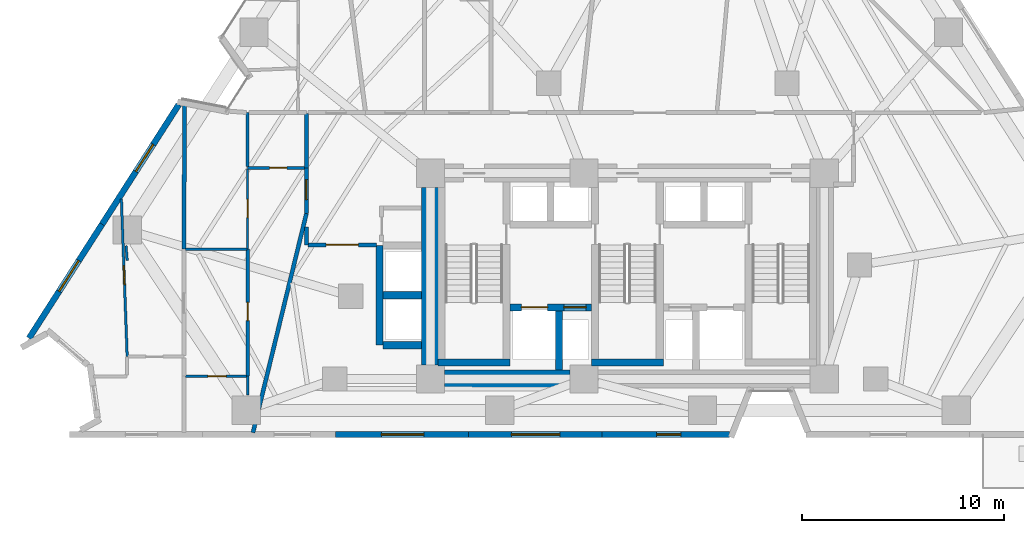
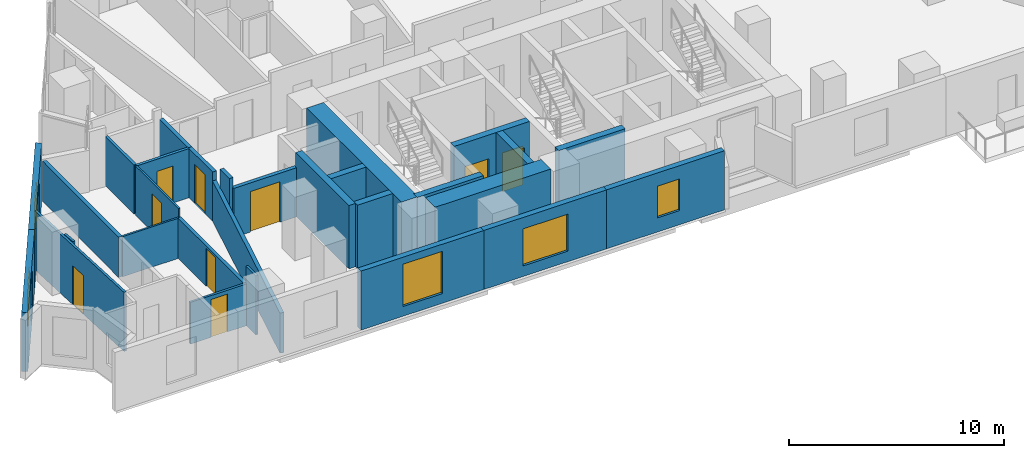
# One storey, part 6 of 13: 29 walls, 9 doors, 5 windows, 14 openings.
"""IFC4 building model written with IfcOpenShell, lengths in metres."""

from ifc_helpers import new_model, si_unit, direction, frame, frame_2d, origin, place, context, subcontext, project, spatial, rectangle, extrude, material, layer, layer_set, type_object, element, fill, save


model = new_model("IFC4")

# Units and contexts
model_context = context("Model", 3, precision=1e-05, world=origin(), true_north=direction((0.0, 1.0)))
body_context = subcontext(model_context, "Body", "Model", "MODEL_VIEW")
ifc_project = project(units=[si_unit("LENGTHUNIT", "METRE"), si_unit("AREAUNIT", "SQUARE_METRE"), si_unit("VOLUMEUNIT", "CUBIC_METRE"), si_unit("PLANEANGLEUNIT", "RADIAN"), si_unit("MASSUNIT", "GRAM", prefix="KILO")], contexts=[model_context])

# Site, building, storey
site_placement = place(None, origin())
site = spatial("IfcSite", under=ifc_project, at=site_placement, CompositionType="ELEMENT")
building_placement = place(site_placement, origin())
building = spatial("IfcBuilding", under=site, at=building_placement, Name="Almagre Mirador Tower", CompositionType="ELEMENT")
storey_placement = place(building_placement, frame((0.0, 0.0, 42.60009765625)))
storey = spatial("IfcBuildingStorey", under=building, at=storey_placement, Name="L09", CompositionType="ELEMENT", Elevation=42.60009765625)

# Wall, opening, window
ifc_material_1 = material(Name="Precast concrete C50/60", Category="concrete")
ifc_layer_1 = layer(ifc_material_1, 0.300048828125)
ifc_layer_set_1 = layer_set([ifc_layer_1], Name="Precast concrete C50/60")
wall_type_1 = type_object("IfcWallType", Name="WAL-EXT-300", PredefinedType="SOLIDWALL", material=ifc_layer_set_1)
wall_1_placement = place(storey_placement, frame((42.34912109375, 1.800048828125, 0.0), z_axis=(0.0, 0.0, 1.0), x_axis=(-1.0, 0.0, 0.0)))
wall_1 = element("IfcWall", 1, at=wall_1_placement, inside=storey, type_object=wall_type_1, Name="L09 expressed almagre precast frame wall 26", PredefinedType="SOLIDWALL", context=body_context, shape_type="SweptSolid", body=[
    extrude(rectangle(XDim=6.31787109375, YDim=0.300048828125, at=frame_2d((3.158935546875, 0.0))), origin(), (0.0, 0.0, 1.0), 3.349853515625),
])
opening_1_placement = place(wall_1_placement, frame((2.39990234375, 0.0, 0.800048828125)))
opening_1 = element("IfcOpeningElement", 2, at=opening_1_placement, cuts=wall_1, Name="Opening WN-04", PredefinedType="OPENING", context=body_context, shape_type="SweptSolid", body=[
    extrude(rectangle(XDim=1.199951171875, YDim=1.800048828125, at=frame_2d((0.60009765625, 0.89990234375))), frame((0.0, 0.159902, 0.0), z_axis=(0.0, -1.0, 0.0), x_axis=(1.0, 0.0, 0.0)), (0.0, 0.0, 1.0), 0.320049),
])
ifc_material_2 = material(Name="Dark solar-control laminated hurricane glass", Category="glass")
window_type_1 = type_object("IfcWindowType", Name="WIN-1200X1800", PartitioningType="SINGLE_PANEL", PredefinedType="WINDOW", material=ifc_material_2)
window_1_placement = place(opening_1_placement, origin())
window_1 = element("IfcWindow", 3, at=window_1_placement, inside=storey, type_object=window_type_1, Name="L09 recessed hurricane window L09-RST-B", OverallHeight=1.800048828125, OverallWidth=1.199951171875, PartitioningType="SINGLE_PANEL", PredefinedType="WINDOW", context=body_context, shape_type="SweptSolid", body=[
    extrude(rectangle(XDim=1.199951171875, YDim=1.800048828125, at=frame_2d((0.60009765625, 0.89990234375))), frame((0.0, 0.030029296875, 0.0), z_axis=(0.0, -1.0, 0.0), x_axis=(1.0, 0.0, 0.0)), (0.0, 0.0, 1.0), 0.06005859375),
])
fill(opening_1, window_1)

wall_2_placement = place(storey_placement, frame((36.03125, 1.800048828125, 0.0), z_axis=(0.0, 0.0, 1.0), x_axis=(-1.0, 0.0, 0.0)))
wall_2 = element("IfcWall", 4, at=wall_2_placement, inside=storey, type_object=wall_type_1, Name="L09 expressed almagre precast frame wall 27", PredefinedType="SOLIDWALL", context=body_context, shape_type="SweptSolid", body=[
    extrude(rectangle(XDim=6.5927734375, YDim=0.300048828125, at=frame_2d((3.29638671875, 0.0))), origin(), (0.0, 0.0, 1.0), 3.349853515625),
])
opening_2_placement = place(wall_2_placement, frame((2.074951171875, 0.0, 0.60009765625)))
opening_2 = element("IfcOpeningElement", 5, at=opening_2_placement, cuts=wall_2, Name="Opening WN-02", PredefinedType="OPENING", context=body_context, shape_type="SweptSolid", body=[
    extrude(rectangle(XDim=2.39990234375, YDim=2.10009765625, at=frame_2d((1.199951171875, 1.050048828125))), frame((0.0, 0.159902, 0.0), z_axis=(0.0, -1.0, 0.0), x_axis=(1.0, 0.0, 0.0)), (0.0, 0.0, 1.0), 0.320049),
])
ifc_material_3 = material(Name="Dark solar-control laminated hurricane glass", Category="glass")
window_type_2 = type_object("IfcWindowType", Name="WIN-2400X2100", PartitioningType="TRIPLE_PANEL_VERTICAL", PredefinedType="WINDOW", material=ifc_material_3)
window_2_placement = place(opening_2_placement, origin())
window_2 = element("IfcWindow", 6, at=window_2_placement, inside=storey, type_object=window_type_2, Name="L09 recessed hurricane window L09-RST-B", OverallHeight=2.10009765625, OverallWidth=2.39990234375, PartitioningType="SINGLE_PANEL", PredefinedType="WINDOW", context=body_context, shape_type="SweptSolid", body=[
    extrude(rectangle(XDim=2.39990234375, YDim=2.10009765625, at=frame_2d((1.199951171875, 1.050048828125))), frame((0.0, 0.030029296875, 0.0), z_axis=(0.0, -1.0, 0.0), x_axis=(1.0, 0.0, 0.0)), (0.0, 0.0, 1.0), 0.06005859375),
])
fill(opening_2, window_2)

wall_3_placement = place(storey_placement, frame((29.4384765625, 1.800048828125, 0.0), z_axis=(0.0, 0.0, 1.0), x_axis=(-1.0, 0.0, 0.0)))
wall_3 = element("IfcWall", 7, at=wall_3_placement, inside=storey, type_object=wall_type_1, Name="L09 expressed almagre precast frame wall 28", PredefinedType="SOLIDWALL", context=body_context, shape_type="SweptSolid", body=[
    extrude(rectangle(XDim=6.5927734375, YDim=0.300048828125, at=frame_2d((3.29638671875, 0.0))), origin(), (0.0, 0.0, 1.0), 3.349853515625),
])
opening_3_placement = place(wall_3_placement, frame((2.22509765625, 0.0, 0.550048828125)))
opening_3 = element("IfcOpeningElement", 8, at=opening_3_placement, cuts=wall_3, Name="Opening WN-05", PredefinedType="OPENING", context=body_context, shape_type="SweptSolid", body=[
    extrude(rectangle(XDim=2.10009765625, YDim=2.39990234375, at=frame_2d((1.050048828125, 1.199951171875))), frame((0.0, 0.159902, 0.0), z_axis=(0.0, -1.0, 0.0), x_axis=(1.0, 0.0, 0.0)), (0.0, 0.0, 1.0), 0.320049),
])
ifc_material_4 = material(Name="Dark solar-control laminated hurricane glass", Category="glass")
window_type_3 = type_object("IfcWindowType", Name="WIN-2100X2400", PartitioningType="DOUBLE_PANEL_VERTICAL", PredefinedType="WINDOW", material=ifc_material_4)
window_3_placement = place(opening_3_placement, origin())
window_3 = element("IfcWindow", 9, at=window_3_placement, inside=storey, type_object=window_type_3, Name="L09 recessed hurricane window L09-RST-B", OverallHeight=2.39990234375, OverallWidth=2.10009765625, PartitioningType="SINGLE_PANEL", PredefinedType="WINDOW", context=body_context, shape_type="SweptSolid", body=[
    extrude(rectangle(XDim=2.10009765625, YDim=2.39990234375, at=frame_2d((1.050048828125, 1.199951171875))), frame((0.0, 0.030029296875, 0.0), z_axis=(0.0, -1.0, 0.0), x_axis=(1.0, 0.0, 0.0)), (0.0, 0.0, 1.0), 0.06005859375),
])
fill(opening_3, window_3)

wall_4_placement = place(storey_placement, frame((7.65966796875, 6.57373046875, 0.0), z_axis=(0.0, 0.0, 1.0), x_axis=(0.539544361319, 0.841957173595, 0.0)))
wall_4 = element("IfcWall", 10, at=wall_4_placement, inside=storey, type_object=wall_type_1, Name="L09 expressed almagre precast frame wall 35", PredefinedType="SOLIDWALL", context=body_context, shape_type="SweptSolid", body=[
    extrude(rectangle(XDim=6.70556640625, YDim=0.300048828125, at=frame_2d((3.352783203125, 0.0))), origin(), (0.0, 0.0, 1.0), 3.349853515625),
])
opening_4_placement = place(wall_4_placement, frame((2.764892578125, 0.0, 0.60009765625)))
opening_4 = element("IfcOpeningElement", 11, at=opening_4_placement, cuts=wall_4, Name="Opening WN-01", PredefinedType="OPENING", context=body_context, shape_type="SweptSolid", body=[
    extrude(rectangle(XDim=1.800048828125, YDim=2.10009765625, at=frame_2d((0.89990234375, 1.050048828125))), frame((0.0, 0.159902, 0.0), z_axis=(0.0, -1.0, 0.0), x_axis=(1.0, 0.0, 0.0)), (0.0, 0.0, 1.0), 0.320049),
])
ifc_material_5 = material(Name="Dark solar-control laminated hurricane glass", Category="glass")
window_type_4 = type_object("IfcWindowType", Name="WIN-1800X2100", PartitioningType="DOUBLE_PANEL_VERTICAL", PredefinedType="WINDOW", material=ifc_material_5)
window_4_placement = place(opening_4_placement, origin())
window_4 = element("IfcWindow", 12, at=window_4_placement, inside=storey, type_object=window_type_4, Name="L09 recessed hurricane window L09-UA-KT", OverallHeight=2.10009765625, OverallWidth=1.800048828125, PartitioningType="SINGLE_PANEL", PredefinedType="WINDOW", context=body_context, shape_type="SweptSolid", body=[
    extrude(rectangle(XDim=1.800048828125, YDim=2.10009765625, at=frame_2d((0.89990234375, 1.050048828125))), frame((0.0, 0.030029296875, 0.0), z_axis=(0.0, -1.0, 0.0), x_axis=(1.0, 0.0, 0.0)), (0.0, 0.0, 1.0), 0.06005859375),
])
fill(opening_4, window_4)

wall_5_placement = place(storey_placement, frame((11.277587890625, 12.219482421875, 0.0), z_axis=(0.0, 0.0, 1.0), x_axis=(0.539524946774, 0.84196961454, 0.0)))
wall_5 = element("IfcWall", 13, at=wall_5_placement, inside=storey, type_object=wall_type_1, Name="L09 expressed almagre precast frame wall 36", PredefinedType="SOLIDWALL", context=body_context, shape_type="SweptSolid", body=[
    extrude(rectangle(XDim=7.04052734375, YDim=0.300048828125, at=frame_2d((3.520263671875, 0.0))), origin(), (0.0, 0.0, 1.0), 3.349853515625),
])
opening_5_placement = place(wall_5_placement, frame((3.10009765625, 0.0, 0.550048828125)))
opening_5 = element("IfcOpeningElement", 14, at=opening_5_placement, cuts=wall_5, Name="Opening WN-06", PredefinedType="OPENING", context=body_context, shape_type="SweptSolid", body=[
    extrude(rectangle(XDim=1.60009765625, YDim=2.199951171875, at=frame_2d((0.800048828125, 1.10009765625))), frame((0.0, 0.159902, 0.0), z_axis=(0.0, -1.0, 0.0), x_axis=(1.0, 0.0, 0.0)), (0.0, 0.0, 1.0), 0.320049),
])
ifc_material_6 = material(Name="Dark solar-control laminated hurricane glass", Category="glass")
window_type_5 = type_object("IfcWindowType", Name="WIN-1600X2200", PartitioningType="DOUBLE_PANEL_VERTICAL", PredefinedType="WINDOW", material=ifc_material_6)
window_5_placement = place(opening_5_placement, origin())
window_5 = element("IfcWindow", 15, at=window_5_placement, inside=storey, type_object=window_type_5, Name="L09 recessed hurricane window L09-UA-ST", OverallHeight=2.199951171875, OverallWidth=1.60009765625, PartitioningType="SINGLE_PANEL", PredefinedType="WINDOW", context=body_context, shape_type="SweptSolid", body=[
    extrude(rectangle(XDim=1.60009765625, YDim=2.199951171875, at=frame_2d((0.800048828125, 1.10009765625))), frame((0.0, 0.030029296875, 0.0), z_axis=(0.0, -1.0, 0.0), x_axis=(1.0, 0.0, 0.0)), (0.0, 0.0, 1.0), 0.06005859375),
])
fill(opening_5, window_5)

# Wall, opening, door
ifc_material_7 = material(Name="Gypsum acoustic stud partition", Category="other")
ifc_layer_2 = layer(ifc_material_7, 0.10009765625)
ifc_layer_set_2 = layer_set([ifc_layer_2], Name="Gypsum acoustic stud partition")
wall_type_2 = type_object("IfcWallType", Name="WAL-PRT-100-CLS", PredefinedType="PARTITIONING", material=ifc_layer_set_2)
wall_6_placement = place(storey_placement, frame((18.489990234375, 14.949951171875, 0.0), z_axis=(0.0, 0.0, 1.0), x_axis=(0.0, -1.0, 0.0)))
wall_6 = element("IfcWall", 16, at=wall_6_placement, inside=storey, type_object=wall_type_2, Name="L09 interior partition 029", PredefinedType="PARTITIONING", context=body_context, shape_type="SweptSolid", body=[
    extrude(rectangle(XDim=3.969970703125, YDim=0.10009765625, at=frame_2d((1.98486328125, 0.0))), origin(), (0.0, 0.0, 1.0), 2.786865234375),
])
opening_6_placement = place(wall_6_placement, frame((1.5048828125, 0.0, 0.0)))
opening_6 = element("IfcOpeningElement", 17, at=opening_6_placement, cuts=wall_6, Name="Opening UD-02", PredefinedType="OPENING", context=body_context, shape_type="SweptSolid", body=[
    extrude(rectangle(XDim=0.89990234375, YDim=2.14990234375, at=frame_2d((0.449951171875, 1.074951171875))), frame((0.0, 0.060049, 0.0), z_axis=(0.0, -1.0, 0.0), x_axis=(1.0, 0.0, 0.0)), (0.0, 0.0, 1.0), 0.120098),
])
ifc_material_8 = material(Name="Solid American walnut timber", Category="wood")
door_type_1 = type_object("IfcDoorType", Name="DOR-UNR-900X2150", OperationType="NOTDEFINED", PredefinedType="DOOR", material=ifc_material_8)
door_1_placement = place(opening_6_placement, origin())
door_1 = element("IfcDoor", 18, at=door_1_placement, inside=storey, type_object=door_type_1, Name="DR-0286 L09 interior door L09-UD-LV to L09-UD-MB", OperationType="SINGLE_SWING_RIGHT", OverallHeight=2.14990234375, OverallWidth=0.89990234375, PredefinedType="DOOR", context=body_context, shape_type="SweptSolid", body=[
    extrude(rectangle(XDim=0.89990234375, YDim=2.14990234375, at=frame_2d((0.449951171875, 1.074951171875))), frame((0.0, 0.02490234375, 0.0), z_axis=(0.0, -1.0, 0.0), x_axis=(1.0, 0.0, 0.0)), (0.0, 0.0, 1.0), 0.050048828125),
])
fill(opening_6, door_1)

# Wall
wall_7_placement = place(storey_placement, frame((15.4150390625, 10.97998046875, 0.0), z_axis=(0.0, 0.0, 1.0), x_axis=(1.0, 0.0, 0.0)))
element("IfcWall", 19, at=wall_7_placement, inside=storey, type_object=wall_type_2, Name="L09 interior partition 035", PredefinedType="PARTITIONING", context=body_context, shape_type="SweptSolid", body=[
    extrude(rectangle(XDim=3.0400390625, YDim=0.10009765625, at=frame_2d((1.52001953125, 0.0))), origin(), (0.0, 0.0, 1.0), 2.27880859375),
])

# Wall, opening, door
ifc_material_9 = material(Name="Gypsum acoustic stud partition", Category="other")
ifc_layer_3 = layer(ifc_material_9, 0.125)
ifc_layer_set_3 = layer_set([ifc_layer_3], Name="Gypsum acoustic stud partition")
wall_type_3 = type_object("IfcWallType", Name="WAL-PRT-125-UTL", PredefinedType="PARTITIONING", material=ifc_layer_set_3)
wall_8_placement = place(storey_placement, frame((12.23291015625, 13.466064453125, 0.0), z_axis=(0.0, 0.0, 1.0), x_axis=(0.036755031692, -0.999324305541, 0.0)))
wall_8 = element("IfcWall", 20, at=wall_8_placement, inside=storey, type_object=wall_type_3, Name="L09 interior partition 015", PredefinedType="PARTITIONING", context=body_context, shape_type="SweptSolid", body=[
    extrude(rectangle(XDim=7.8115234375, YDim=0.125, at=frame_2d((3.90576171875, 0.0))), origin(), (0.0, 0.0, 1.0), 3.349853515625),
])
opening_7_placement = place(wall_8_placement, frame((3.308837890625, 0.0, 0.0)))
opening_7 = element("IfcOpeningElement", 21, at=opening_7_placement, cuts=wall_8, Name="Opening UD-01", PredefinedType="OPENING", context=body_context, shape_type="SweptSolid", body=[
    extrude(rectangle(XDim=0.949951171875, YDim=2.199951171875, at=frame_2d((0.47509765625, 1.10009765625))), frame((0.0, 0.0725, 0.0), z_axis=(0.0, -1.0, 0.0), x_axis=(1.0, 0.0, 0.0)), (0.0, 0.0, 1.0), 0.145),
])
ifc_material_10 = material(Name="Solid American walnut timber", Category="wood")
door_type_2 = type_object("IfcDoorType", Name="DOR-UNR-950X2200", OperationType="NOTDEFINED", PredefinedType="DOOR", material=ifc_material_10)
door_2_placement = place(opening_7_placement, origin())
door_2 = element("IfcDoor", 22, at=door_2_placement, inside=storey, type_object=door_type_2, Name="DR-0281 L09 interior door L09-UA-ST to L09-UA-KT", OperationType="SINGLE_SWING_LEFT", OverallHeight=2.199951171875, OverallWidth=0.949951171875, PredefinedType="DOOR", context=body_context, shape_type="SweptSolid", body=[
    extrude(rectangle(XDim=0.949951171875, YDim=2.199951171875, at=frame_2d((0.47509765625, 1.10009765625))), frame((0.0, 0.02490234375, 0.0), z_axis=(0.0, -1.0, 0.0), x_axis=(1.0, 0.0, 0.0)), (0.0, 0.0, 1.0), 0.050048828125),
])
fill(opening_7, door_2)

# Wall
wall_9_placement = place(storey_placement, frame((18.489990234375, 4.68994140625, 0.0), z_axis=(0.0, 0.0, 1.0), x_axis=(0.0, -1.0, 0.0)))
element("IfcWall", 23, at=wall_9_placement, inside=storey, type_object=wall_type_3, Name="L09 interior partition 028", PredefinedType="PARTITIONING", context=body_context, shape_type="SweptSolid", body=[
    extrude(rectangle(XDim=0.929931640625, YDim=0.125, at=frame_2d((0.46484375, 0.0))), origin(), (0.0, 0.0, 1.0), 3.349853515625),
])

# Wall, opening, door
wall_10_placement = place(storey_placement, frame((18.4423828125, 4.68994140625, 0.0), z_axis=(0.0, 0.0, 1.0), x_axis=(-1.0, 0.0, 0.0)))
wall_10 = element("IfcWall", 24, at=wall_10_placement, inside=storey, type_object=wall_type_3, Name="L09 interior partition 034", PredefinedType="PARTITIONING", context=body_context, shape_type="SweptSolid", body=[
    extrude(rectangle(XDim=3.02734375, YDim=0.125, at=frame_2d((1.513671875, 0.0))), origin(), (0.0, 0.0, 1.0), 2.369873046875),
])
opening_8_placement = place(wall_10_placement, frame((1.0244140625, 0.0, 0.0)))
opening_8 = element("IfcOpeningElement", 25, at=opening_8_placement, cuts=wall_10, Name="Opening UD-02", PredefinedType="OPENING", context=body_context, shape_type="SweptSolid", body=[
    extrude(rectangle(XDim=0.89990234375, YDim=2.14990234375, at=frame_2d((0.449951171875, 1.074951171875))), frame((0.0, 0.0725, 0.0), z_axis=(0.0, -1.0, 0.0), x_axis=(1.0, 0.0, 0.0)), (0.0, 0.0, 1.0), 0.145),
])
door_3_placement = place(opening_8_placement, origin())
door_3 = element("IfcDoor", 26, at=door_3_placement, inside=storey, type_object=door_type_1, Name="DR-0284 L09 interior door L09-UD-KT to L09-UD-B2", OperationType="SINGLE_SWING_RIGHT", OverallHeight=2.14990234375, OverallWidth=0.89990234375, PredefinedType="DOOR", context=body_context, shape_type="SweptSolid", body=[
    extrude(rectangle(XDim=0.89990234375, YDim=2.14990234375, at=frame_2d((0.449951171875, 1.074951171875))), frame((0.0, 0.02490234375, 0.0), z_axis=(0.0, -1.0, 0.0), x_axis=(1.0, 0.0, 0.0)), (0.0, 0.0, 1.0), 0.050048828125),
])
fill(opening_8, door_3)

# Wall
wall_11_placement = place(storey_placement, frame((12.4609375, 11.153076171875, 0.0), z_axis=(0.0, 0.0, 1.0), x_axis=(0.08032568051, -0.996768671784, 0.0)))
element("IfcWall", 27, at=wall_11_placement, inside=storey, type_object=wall_type_3, Name="L09 interior partition 113", PredefinedType="PARTITIONING", context=body_context, shape_type="SweptSolid", body=[
    extrude(rectangle(XDim=0.735595703125, YDim=0.125, at=frame_2d((0.36767578125, 0.0))), origin(), (0.0, 0.0, 1.0), 3.349853515625),
])

# Wall, opening, door
ifc_material_11 = material(Name="Gypsum acoustic stud partition", Category="other")
ifc_layer_4 = layer(ifc_material_11, 0.14990234375)
ifc_layer_set_4 = layer_set([ifc_layer_4], Name="Gypsum acoustic stud partition")
wall_type_4 = type_object("IfcWallType", Name="WAL-PRT-150-STD", PredefinedType="PARTITIONING", material=ifc_layer_set_4)
wall_12_placement = place(storey_placement, frame((21.31494140625, 15.010009765625, 0.0), z_axis=(0.0, 0.0, 1.0), x_axis=(-1.0, 0.0, 0.0)))
wall_12 = element("IfcWall", 28, at=wall_12_placement, inside=storey, type_object=wall_type_4, Name="L09 interior partition 027", PredefinedType="PARTITIONING", context=body_context, shape_type="SweptSolid", body=[
    extrude(rectangle(XDim=2.824951171875, YDim=0.14990234375, at=frame_2d((1.41259765625, 0.0))), origin(), (0.0, 0.0, 1.0), 2.786865234375),
])
opening_9_placement = place(wall_12_placement, frame((0.8857421875, 0.0, 0.0)))
opening_9 = element("IfcOpeningElement", 29, at=opening_9_placement, cuts=wall_12, Name="Opening UD-04", PredefinedType="OPENING", context=body_context, shape_type="SweptSolid", body=[
    extrude(rectangle(XDim=0.85009765625, YDim=2.10009765625, at=frame_2d((0.425048828125, 1.050048828125))), frame((0.0, 0.084951, 0.0), z_axis=(0.0, -1.0, 0.0), x_axis=(1.0, 0.0, 0.0)), (0.0, 0.0, 1.0), 0.169902),
])
ifc_material_12 = material(Name="Moisture-resistant oak timber", Category="wood")
door_type_3 = type_object("IfcDoorType", Name="DOR-UNR-850X2100", OperationType="NOTDEFINED", PredefinedType="DOOR", material=ifc_material_12)
door_4_placement = place(opening_9_placement, origin())
door_4 = element("IfcDoor", 30, at=door_4_placement, inside=storey, type_object=door_type_3, Name="DR-0285 L09 interior door L09-UD-LV to L09-UD-HB", OperationType="SINGLE_SWING_LEFT", OverallHeight=2.10009765625, OverallWidth=0.85009765625, PredefinedType="DOOR", context=body_context, shape_type="SweptSolid", body=[
    extrude(rectangle(XDim=0.85009765625, YDim=2.10009765625, at=frame_2d((0.425048828125, 1.050048828125))), frame((0.0, 0.02490234375, 0.0), z_axis=(0.0, -1.0, 0.0), x_axis=(1.0, 0.0, 0.0)), (0.0, 0.0, 1.0), 0.050048828125),
])
fill(opening_9, door_4)

# Wall
wall_13_placement = place(storey_placement, frame((18.489990234375, 17.75, 0.0), z_axis=(0.0, 0.0, 1.0), x_axis=(0.0, -1.0, 0.0)))
element("IfcWall", 31, at=wall_13_placement, inside=storey, type_object=wall_type_4, Name="L09 interior partition 031", PredefinedType="PARTITIONING", context=body_context, shape_type="SweptSolid", body=[
    extrude(rectangle(XDim=2.679931640625, YDim=0.14990234375, at=frame_2d((1.33984375, 0.0))), origin(), (0.0, 0.0, 1.0), 2.786865234375),
])

# Wall, opening, door
ifc_material_13 = material(Name="Gypsum acoustic stud partition", Category="other")
ifc_layer_5 = layer(ifc_material_13, 0.175048828125)
ifc_layer_set_5 = layer_set([ifc_layer_5], Name="Gypsum acoustic stud partition")
wall_type_5 = type_object("IfcWallType", Name="WAL-PRT-175-AC", PredefinedType="PARTITIONING", material=ifc_layer_set_5)
wall_14_placement = place(storey_placement, frame((18.489990234375, 10.97998046875, 0.0), z_axis=(0.0, 0.0, 1.0), x_axis=(0.0, -1.0, 0.0)))
wall_14 = element("IfcWall", 32, at=wall_14_placement, inside=storey, type_object=wall_type_5, Name="L09 interior partition 030", PredefinedType="PARTITIONING", context=body_context, shape_type="SweptSolid", body=[
    extrude(rectangle(XDim=6.2900390625, YDim=0.175048828125, at=frame_2d((3.14501953125, 0.0))), origin(), (0.0, 0.0, 1.0), 2.27880859375),
])
opening_10_placement = place(wall_14_placement, frame((2.635498046875, 0.0, 0.0)))
opening_10 = element("IfcOpeningElement", 33, at=opening_10_placement, cuts=wall_14, Name="Opening UD-02", PredefinedType="OPENING", context=body_context, shape_type="SweptSolid", body=[
    extrude(rectangle(XDim=0.89990234375, YDim=2.14990234375, at=frame_2d((0.449951171875, 1.074951171875))), frame((0.0, 0.097402, 0.0), z_axis=(0.0, -1.0, 0.0), x_axis=(1.0, 0.0, 0.0)), (0.0, 0.0, 1.0), 0.195049),
])
door_5_placement = place(opening_10_placement, origin())
door_5 = element("IfcDoor", 34, at=door_5_placement, inside=storey, type_object=door_type_1, Name="DR-0287 L09 interior door L09-UD-LV to L09-UD-B2", OperationType="SINGLE_SWING_LEFT", OverallHeight=2.14990234375, OverallWidth=0.89990234375, PredefinedType="DOOR", context=body_context, shape_type="SweptSolid", body=[
    extrude(rectangle(XDim=0.89990234375, YDim=2.14990234375, at=frame_2d((0.449951171875, 1.074951171875))), frame((0.0, 0.02490234375, 0.0), z_axis=(0.0, -1.0, 0.0), x_axis=(1.0, 0.0, 0.0)), (0.0, 0.0, 1.0), 0.050048828125),
])
fill(opening_10, door_5)

# Wall
ifc_material_14 = material(Name="Gypsum acoustic stud partition", Category="other")
ifc_layer_6 = layer(ifc_material_14, 0.199951171875)
ifc_layer_set_6 = layer_set([ifc_layer_6], Name="Gypsum acoustic stud partition")
wall_type_6 = type_object("IfcWallType", Name="WAL-PRT-200-EI60", PredefinedType="PARTITIONING", material=ifc_layer_set_6)
wall_15_placement = place(storey_placement, frame((21.39990234375, 12.076904296875, 0.0), z_axis=(0.0, 0.0, 1.0), x_axis=(0.0, -1.0, 0.0)))
element("IfcWall", 35, at=wall_15_placement, inside=storey, type_object=wall_type_6, Name="L09 interior partition 001", PredefinedType="PARTITIONING", context=body_context, shape_type="SweptSolid", body=[
    extrude(rectangle(XDim=0.876953125, YDim=0.199951171875, at=frame_2d((0.4384765625, 0.0))), origin(), (0.0, 0.0, 1.0), 3.349853515625),
])

# Wall, opening, door
wall_16_placement = place(storey_placement, frame((21.485107421875, 11.199951171875, 0.0), z_axis=(0.0, 0.0, 1.0), x_axis=(1.0, 0.0, 0.0)))
wall_16 = element("IfcWall", 36, at=wall_16_placement, inside=storey, type_object=wall_type_6, Name="L09 interior partition 002", PredefinedType="PARTITIONING", context=body_context, shape_type="SweptSolid", body=[
    extrude(rectangle(XDim=3.384033203125, YDim=0.199951171875, at=frame_2d((1.69189453125, 0.0))), origin(), (0.0, 0.0, 1.0), 2.786865234375),
])
opening_11_placement = place(wall_16_placement, frame((0.889892578125, 0.0, 0.0)))
opening_11 = element("IfcOpeningElement", 37, at=opening_11_placement, cuts=wall_16, Name="Opening ID-05", PredefinedType="OPENING", context=body_context, shape_type="SweptSolid", body=[
    extrude(rectangle(XDim=1.60009765625, YDim=2.300048828125, at=frame_2d((0.800048828125, 1.14990234375))), frame((0.0, 0.110098, 0.0), z_axis=(0.0, -1.0, 0.0), x_axis=(1.0, 0.0, 0.0)), (0.0, 0.0, 1.0), 0.219951),
])
ifc_material_15 = material(Name="Fire-rated acoustic timber", Category="wood")
door_type_4 = type_object("IfcDoorType", Name="DOR-FD60-1600X2300", OperationType="DOUBLE_DOOR_SINGLE_SWING", PredefinedType="DOOR", material=ifc_material_15)
door_6_placement = place(opening_11_placement, origin())
door_6 = element("IfcDoor", 38, at=door_6_placement, inside=storey, type_object=door_type_4, Name="DR-0276 L09 interior door L09-RCOR to L09-RST-B", OperationType="DOUBLE_DOOR_SINGLE_SWING", OverallHeight=2.300048828125, OverallWidth=1.60009765625, PredefinedType="DOOR", context=body_context, shape_type="SweptSolid", body=[
    extrude(rectangle(XDim=1.60009765625, YDim=2.300048828125, at=frame_2d((0.800048828125, 1.14990234375))), frame((0.0, 0.02490234375, 0.0), z_axis=(0.0, -1.0, 0.0), x_axis=(1.0, 0.0, 0.0)), (0.0, 0.0, 1.0), 0.050048828125),
])
fill(opening_11, door_6)

wall_17_placement = place(storey_placement, frame((21.39990234375, 15.010009765625, 0.0), z_axis=(0.0, 0.0, 1.0), x_axis=(0.0, -1.0, 0.0)))
wall_17 = element("IfcWall", 39, at=wall_17_placement, inside=storey, type_object=wall_type_6, Name="L09 interior partition 005", PredefinedType="PARTITIONING", context=body_context, shape_type="SweptSolid", body=[
    extrude(rectangle(XDim=2.260009765625, YDim=0.199951171875, at=frame_2d((1.1298828125, 0.0))), origin(), (0.0, 0.0, 1.0), 2.786865234375),
])
opening_12_placement = place(wall_17_placement, frame((0.57568359375, 0.0, 0.0)))
opening_12 = element("IfcOpeningElement", 40, at=opening_12_placement, cuts=wall_17, Name="Opening ID-01", PredefinedType="OPENING", context=body_context, shape_type="SweptSolid", body=[
    extrude(rectangle(XDim=1.0, YDim=2.199951171875, at=frame_2d((0.5, 1.10009765625))), frame((0.0, 0.110098, 0.0), z_axis=(0.0, -1.0, 0.0), x_axis=(1.0, 0.0, 0.0)), (0.0, 0.0, 1.0), 0.219951),
])
ifc_material_16 = material(Name="Fire-rated walnut timber", Category="wood")
door_type_5 = type_object("IfcDoorType", Name="DOR-FD60-1000X2200", OperationType="NOTDEFINED", PredefinedType="DOOR", material=ifc_material_16)
door_7_placement = place(opening_12_placement, origin())
door_7 = element("IfcDoor", 41, at=door_7_placement, inside=storey, type_object=door_type_5, Name="DR-0283 L09 interior door L09-RCOR to L09-UD-LV", OperationType="SINGLE_SWING_LEFT", OverallHeight=2.199951171875, OverallWidth=1.0, PredefinedType="DOOR", context=body_context, shape_type="SweptSolid", body=[
    extrude(rectangle(XDim=1.0, YDim=2.199951171875, at=frame_2d((0.5, 1.10009765625))), frame((0.0, 0.02490234375, 0.0), z_axis=(0.0, -1.0, 0.0), x_axis=(1.0, 0.0, 0.0)), (0.0, 0.0, 1.0), 0.050048828125),
])
fill(opening_12, door_7)

# Walls
wall_18_placement = place(storey_placement, frame((21.39990234375, 17.705078125, 0.0), z_axis=(0.0, 0.0, 1.0), x_axis=(0.0, -1.0, 0.0)))
element("IfcWall", 42, at=wall_18_placement, inside=storey, type_object=wall_type_6, Name="L09 interior partition 006", PredefinedType="PARTITIONING", context=body_context, shape_type="SweptSolid", body=[
    extrude(rectangle(XDim=2.695068359375, YDim=0.199951171875, at=frame_2d((1.34765625, 0.0))), origin(), (0.0, 0.0, 1.0), 2.786865234375),
])
wall_19_placement = place(storey_placement, frame((15.330078125, 10.97998046875, 0.0), z_axis=(0.0, 0.0, 1.0), x_axis=(0.004889499098, 0.999988046328, 0.0)))
element("IfcWall", 43, at=wall_19_placement, inside=storey, type_object=wall_type_6, Name="L09 interior partition 017", PredefinedType="PARTITIONING", context=body_context, shape_type="SweptSolid", body=[
    extrude(rectangle(XDim=7.14013671875, YDim=0.199951171875, at=frame_2d((3.570068359375, 0.0))), origin(), (0.0, 0.0, 1.0), 2.27880859375),
])
wall_20_placement = place(storey_placement, frame((21.39990234375, 12.75, 0.0), z_axis=(0.0, 0.0, 1.0), x_axis=(-0.237009503741, -0.971507331489, 0.0)))
element("IfcWall", 44, at=wall_20_placement, inside=storey, type_object=wall_type_6, Name="L09 interior partition 023", PredefinedType="PARTITIONING", context=body_context, shape_type="SweptSolid", body=[
    extrude(rectangle(XDim=11.17236328125, YDim=0.199951171875, at=frame_2d((5.586181640625, 0.0))), origin(), (0.0, 0.0, 1.0), 2.27880859375),
])
ifc_material_17 = material(Name="Concrete C60/75", Category="concrete")
ifc_layer_7 = layer(ifc_material_17, 0.35009765625)
ifc_layer_set_7 = layer_set([ifc_layer_7], Name="Concrete C60/75")
wall_type_7 = type_object("IfcWallType", Name="WAL-SHF-350", PredefinedType="SOLIDWALL", material=ifc_layer_set_7)
for number, where, z_axis, x_axis, name in (
    (45, (27.925048828125, 5.375, 0.0), (0.0, 0.0, 1.0), (1.0, 0.0, 0.0), "L09 shaft wall ST1-S"),
    (46, (35.52490234375, 5.375, 0.0), (0.0, 0.0, 1.0), (1.0, 0.0, 0.0), "L09 shaft wall ST2-S"),
):
    element("IfcWall", number, at=place(storey_placement, frame(where, z_axis=z_axis, x_axis=x_axis)), inside=storey, type_object=wall_type_7, Name=name, PredefinedType="SOLIDWALL", context=body_context, shape_type="SweptSolid", body=[
        extrude(rectangle(XDim=3.550048828125, YDim=0.35009765625, at=frame_2d((1.77490234375, 0.0))), origin(), (0.0, 0.0, 1.0), 3.599853515625),
    ])

# Wall, openings, doors
wall_21_placement = place(storey_placement, frame((31.47509765625, 8.10009765625, 0.0), z_axis=(0.0, 0.0, 1.0), x_axis=(1.0, 0.0, 0.0)))
wall_21 = element("IfcWall", 47, at=wall_21_placement, inside=storey, type_object=wall_type_7, Name="L09 shaft wall FSAE1-N", PredefinedType="SOLIDWALL", context=body_context, shape_type="SweptSolid", body=[
    extrude(rectangle(XDim=4.0498046875, YDim=0.35009765625, at=frame_2d((2.02490234375, 0.0))), origin(), (0.0, 0.0, 1.0), 3.599853515625),
])
opening_13_placement = place(wall_21_placement, frame((0.574951171875, 0.0, 0.0)))
opening_13 = element("IfcOpeningElement", 48, at=opening_13_placement, cuts=wall_21, Name="Opening LD-03", PredefinedType="OPENING", context=body_context, shape_type="SweptSolid", body=[
    extrude(rectangle(XDim=1.300048828125, YDim=2.25, at=frame_2d((0.64990234375, 1.125))), frame((0.0, 0.185049, 0.0), z_axis=(0.0, -1.0, 0.0), x_axis=(1.0, 0.0, 0.0)), (0.0, 0.0, 1.0), 0.370098),
])
opening_14_placement = place(wall_21_placement, frame((2.675048828125, 0.0, 0.0)))
opening_14 = element("IfcOpeningElement", 49, at=opening_14_placement, cuts=wall_21, Name="Opening LD-01", PredefinedType="OPENING", context=body_context, shape_type="SweptSolid", body=[
    extrude(rectangle(XDim=1.10009765625, YDim=2.199951171875, at=frame_2d((0.550048828125, 1.10009765625))), frame((0.0, 0.185049, 0.0), z_axis=(0.0, -1.0, 0.0), x_axis=(1.0, 0.0, 0.0)), (0.0, 0.0, 1.0), 0.370098),
])
ifc_material_18 = material(Name="Hollow stainless steel", Category="steel")
door_type_6 = type_object("IfcDoorType", Name="DOR-LD-1100X2200", OperationType="DOUBLE_DOOR_SLIDING", PredefinedType="DOOR", material=ifc_material_18)
door_8_placement = place(opening_14_placement, origin())
door_8 = element("IfcDoor", 50, at=door_8_placement, inside=storey, type_object=door_type_6, Name="DR-0309 L09 PL-L1 lift landing door", OperationType="DOUBLE_DOOR_SLIDING", OverallHeight=2.199951171875, OverallWidth=1.10009765625, PredefinedType="DOOR", context=body_context, shape_type="SweptSolid", body=[
    extrude(rectangle(XDim=1.10009765625, YDim=2.199951171875, at=frame_2d((0.550048828125, 1.10009765625))), frame((0.0, 0.02490234375, 0.0), z_axis=(0.0, -1.0, 0.0), x_axis=(1.0, 0.0, 0.0)), (0.0, 0.0, 1.0), 0.050048828125),
])
fill(opening_14, door_8)
ifc_material_19 = material(Name="Hollow stainless steel", Category="steel")
door_type_7 = type_object("IfcDoorType", Name="DOR-LD-1300X2250", OperationType="DOUBLE_DOOR_SLIDING", PredefinedType="DOOR", material=ifc_material_19)
door_9_placement = place(opening_13_placement, origin())
door_9 = element("IfcDoor", 51, at=door_9_placement, inside=storey, type_object=door_type_7, Name="DR-0307 L09 FSAE-1 lift landing door", OperationType="DOUBLE_DOOR_SLIDING", OverallHeight=2.25, OverallWidth=1.300048828125, PredefinedType="DOOR", context=body_context, shape_type="SweptSolid", body=[
    extrude(rectangle(XDim=1.300048828125, YDim=2.25, at=frame_2d((0.64990234375, 1.125))), frame((0.0, 0.02490234375, 0.0), z_axis=(0.0, -1.0, 0.0), x_axis=(1.0, 0.0, 0.0)), (0.0, 0.0, 1.0), 0.050048828125),
])
fill(opening_13, door_9)

# Walls
wall_22_placement = place(storey_placement, frame((33.89990234375, 5.0, 0.0), z_axis=(0.0, 0.0, 1.0), x_axis=(0.0, 1.0, 0.0)))
element("IfcWall", 52, at=wall_22_placement, inside=storey, type_object=wall_type_7, Name="L09 shaft wall FSAE1-E", PredefinedType="SOLIDWALL", context=body_context, shape_type="SweptSolid", body=[
    extrude(rectangle(XDim=2.925048828125, YDim=0.35009765625, at=frame_2d((1.46240234375, 0.0))), origin(), (0.0, 0.0, 1.0), 3.599853515625),
])
wall_23_placement = place(storey_placement, frame((25.02490234375, 6.22509765625, 0.0), z_axis=(0.0, 0.0, 1.0), x_axis=(0.0, 1.0, 0.0)))
element("IfcWall", 53, at=wall_23_placement, inside=storey, type_object=wall_type_7, Name="L09 shaft wall OL-W", PredefinedType="SOLIDWALL", context=body_context, shape_type="SweptSolid", body=[
    extrude(rectangle(XDim=4.949951171875, YDim=0.35009765625, at=frame_2d((2.47509765625, 0.0))), origin(), (0.0, 0.0, 1.0), 3.599853515625),
])
for number, where, z_axis, x_axis, name in (
    (54, (25.199951171875, 6.22509765625, 0.0), (0.0, 0.0, 1.0), (1.0, 0.0, 0.0), "L09 shaft wall OL-S"),
    (55, (25.199951171875, 8.699951171875, 0.0), (0.0, 0.0, 1.0), (1.0, 0.0, 0.0), "L09 shaft wall OL-M"),
):
    element("IfcWall", number, at=place(storey_placement, frame(where, z_axis=z_axis, x_axis=x_axis)), inside=storey, type_object=wall_type_7, Name=name, PredefinedType="SOLIDWALL", context=body_context, shape_type="SweptSolid", body=[
        extrude(rectangle(XDim=1.900146484375, YDim=0.35009765625, at=frame_2d((0.9501953125, 0.0))), origin(), (0.0, 0.0, 1.0), 3.599853515625),
    ])
ifc_material_20 = material(Name="Concrete C70/85", Category="concrete")
ifc_layer_8 = layer(ifc_material_20, 0.89990234375)
ifc_layer_set_8 = layer_set([ifc_layer_8], Name="Concrete C70/85")
wall_type_8 = type_object("IfcWallType", Name="WAL-SHR-900", PredefinedType="SHEAR", material=ifc_layer_set_8)
wall_24_placement = place(storey_placement, frame((28.25, 4.550048828125, 0.0), z_axis=(0.0, 0.0, 1.0), x_axis=(1.0, 0.0, 0.0)))
element("IfcWall", 56, at=wall_24_placement, inside=storey, type_object=wall_type_8, Name="L09 core shear wall S1", PredefinedType="SHEAR", context=body_context, shape_type="SweptSolid", body=[
    extrude(rectangle(XDim=6.199951171875, YDim=0.89990234375, at=frame_2d((3.10009765625, 0.0))), origin(), (0.0, 0.0, 1.0), 3.599853515625),
])
wall_25_placement = place(storey_placement, frame((27.550048828125, 5.25, 0.0), z_axis=(0.0, 0.0, 1.0), x_axis=(0.0, 1.0, 0.0)))
element("IfcWall", 57, at=wall_25_placement, inside=storey, type_object=wall_type_8, Name="L09 core shear wall W1", PredefinedType="SHEAR", context=body_context, shape_type="SweptSolid", body=[
    extrude(rectangle(XDim=8.800048828125, YDim=0.89990234375, at=frame_2d((4.39990234375, 0.0))), origin(), (0.0, 0.0, 1.0), 3.599853515625),
])

save(model, "model.ifc")
